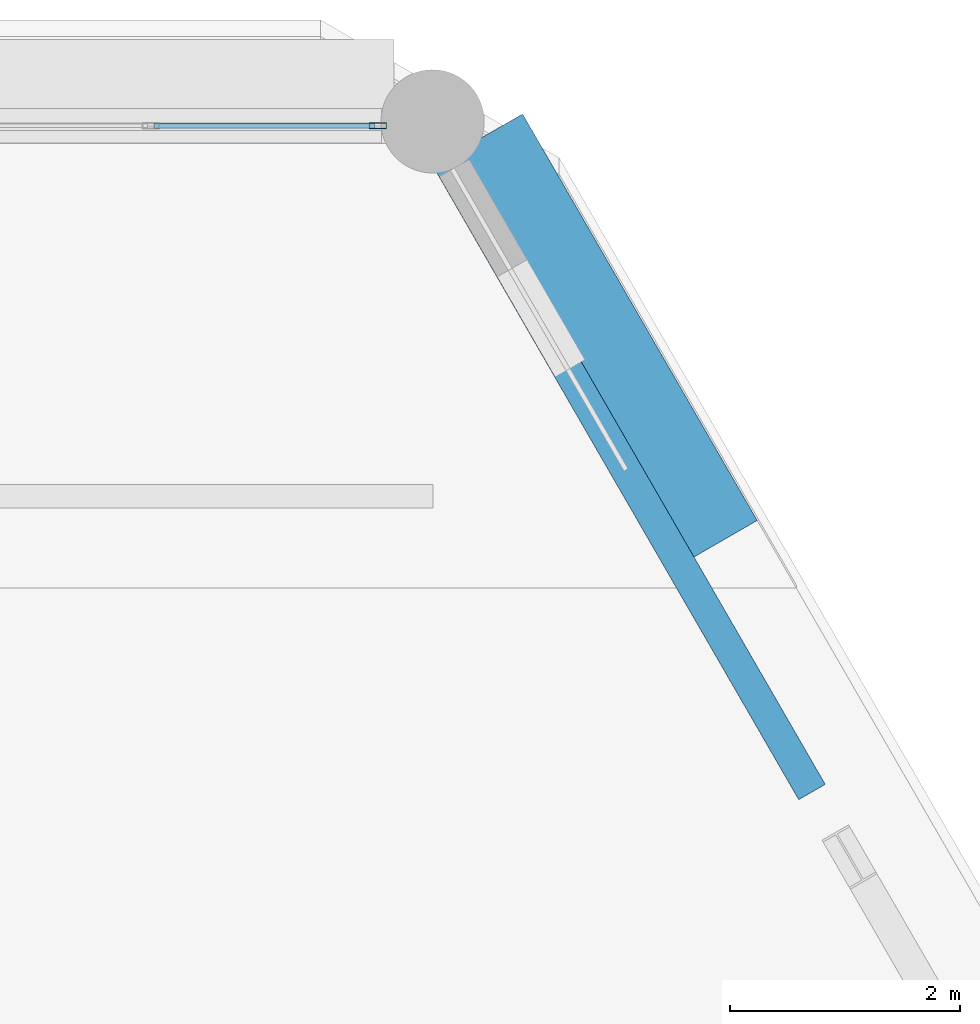
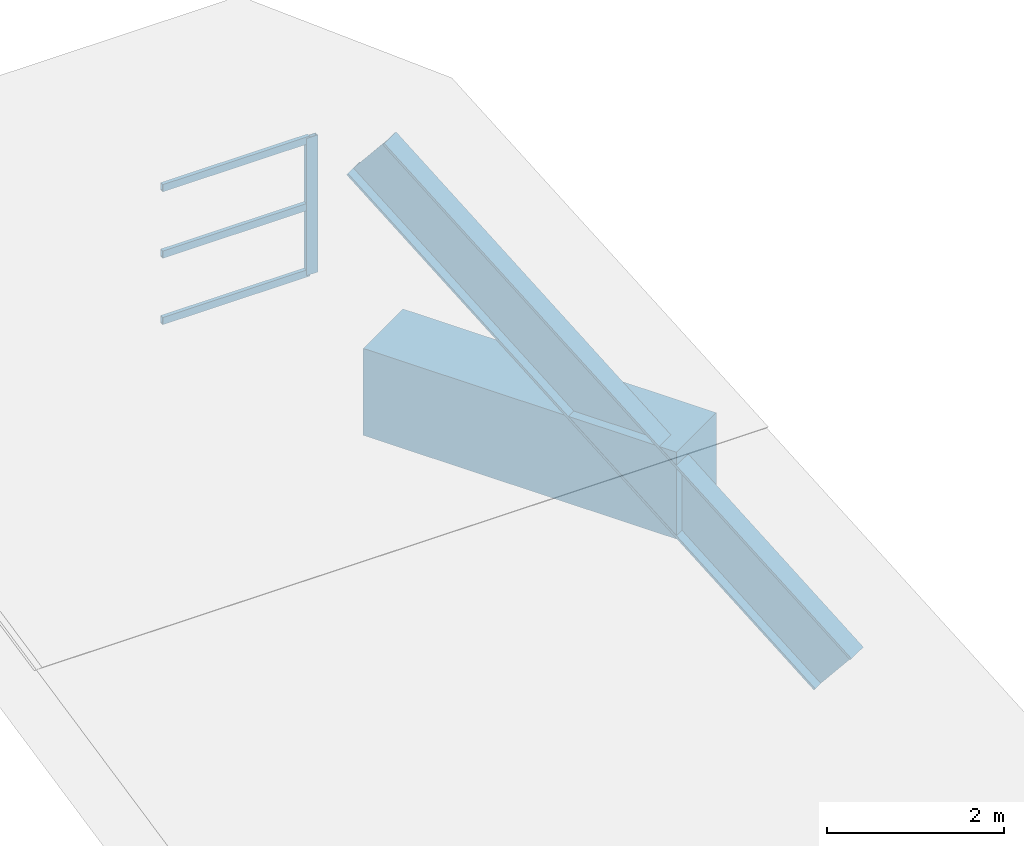
# One storey, part 5 of 7: 5 members, 1 beam, 1 element without a shape of its own.
"""IFC4 building model written with IfcOpenShell, lengths in metres."""

from ifc_helpers import new_model, si_unit, direction, frame, origin, origin_2d, place, context, subcontext, project, spatial, rectangle, hollow_rectangle, i_section, extrude, material, material_profile, profile_set, type_object, element, aggregate, save


model = new_model("IFC4")

# Units and contexts
model_context = context("Model", 3, precision=1e-05, world=origin(), true_north=direction((0.0, 1.0)))
body_context = subcontext(model_context, "Body", "Model", "MODEL_VIEW")
ifc_project = project(units=[si_unit("LENGTHUNIT", "METRE"), si_unit("AREAUNIT", "SQUARE_METRE"), si_unit("VOLUMEUNIT", "CUBIC_METRE"), si_unit("PLANEANGLEUNIT", "RADIAN"), si_unit("MASSUNIT", "GRAM", prefix="KILO")], contexts=[model_context])

# Site, building, storey
site_placement = place(None, origin())
site = spatial("IfcSite", under=ifc_project, at=site_placement, CompositionType="ELEMENT")
building_placement = place(site_placement, origin())
building = spatial("IfcBuilding", under=site, at=building_placement, Name="Ostrander Bayou Hotel Tower", CompositionType="ELEMENT")
storey_placement = place(building_placement, frame((0.0, 0.0, 302.0)))
storey = spatial("IfcBuildingStorey", under=building, at=storey_placement, Name="Roof 74", CompositionType="ELEMENT", Elevation=302.0)

# Member
ifc_material_1 = material(Name="Steel ASTM A992", Category="steel")
ifc_material_profile_1 = material_profile(ifc_material_1, i_section(OverallWidth=0.26708984375, OverallDepth=0.779052734375, WebThickness=0.0166015625, FlangeThickness=0.030029296875, at=origin_2d()))
ifc_profile_set_1 = profile_set([ifc_material_profile_1], Name="Steel ASTM A992")
member_type_1 = type_object("IfcMemberType", Name="CR2 crown rafter W30x148", PredefinedType="RAFTER", material=ifc_profile_set_1)
member_1_placement = place(storey_placement, frame((11.42431640625, 10.959716796875, -2.350341796875), z_axis=(-0.387451114147, 0.671091879347, 0.632073827666), x_axis=(-0.866027618295, -0.499996164336, 0.0)))
element("IfcMember", 1, at=member_1_placement, inside=storey, type_object=member_type_1, Name="CR2 NE 3", PredefinedType="RAFTER", context=body_context, shape_type="SweptSolid", body=[
    extrude(i_section(OverallWidth=0.26708984375, OverallDepth=0.779052734375, WebThickness=0.0166015625, FlangeThickness=0.030029296875, at=origin_2d()), origin(), (0.0, 0.0, 1.0), 7.871337890625),
])

# Curtain wall, members
ifc_material_2 = material(Name="Aluminium and clear glass", Category="aluminium")
curtain_wall_type = type_object("IfcCurtainWallType", Name="CW-CROWN glazed wall", PredefinedType="NOTDEFINED", material=ifc_material_2)
curtain_wall_placement = place(storey_placement, origin())
curtain_wall = element("IfcCurtainWall", 2, at=curtain_wall_placement, inside=storey, type_object=curtain_wall_type, Name="CW-CROWN L74:N-1", PredefinedType="NOTDEFINED")
ifc_material_3 = material(Name="Aluminium", Category="aluminium")
ifc_material_profile_2 = material_profile(ifc_material_3, hollow_rectangle(XDim=0.050048828125, YDim=0.14990234375, WallThickness=0.00390625, at=origin_2d()))
ifc_profile_set_2 = profile_set([ifc_material_profile_2], Name="Aluminium")
member_type_2 = type_object("IfcMemberType", Name="CW-CR mullion 50 x 150 mm", PredefinedType="MULLION", material=ifc_profile_set_2)
member_2_placement = place(storey_placement, frame((7.765869140625, 16.550048828125, 1.0), z_axis=(0.0, 0.0, 1.0), x_axis=(0.0, -1.0, 0.0)))
member_2 = element("IfcMember", 3, at=member_2_placement, type_object=member_type_2, Name="CW-CROWN mullion 1", PredefinedType="MULLION", context=body_context, shape_type="SweptSolid", body=[
    extrude(hollow_rectangle(XDim=0.050048828125, YDim=0.14990234375, WallThickness=0.00390625, at=origin_2d()), origin(), (0.0, 0.0, 1.0), 1.8935546875),
])
ifc_material_4 = material(Name="Aluminium", Category="aluminium")
ifc_material_profile_3 = material_profile(ifc_material_4, hollow_rectangle(XDim=0.050048828125, YDim=0.10009765625, WallThickness=0.00390625, at=origin_2d()))
ifc_profile_set_3 = profile_set([ifc_material_profile_3], Name="Aluminium")
member_type_3 = type_object("IfcMemberType", Name="CW-CR transom 50 x 100 mm", PredefinedType="USERDEFINED", material=ifc_profile_set_3)
member_3_placement = place(storey_placement, frame((7.73583984375, 16.550048828125, 1.030029296875), z_axis=(-1.0, 0.0, 0.0), x_axis=(0.0, -1.0, 0.0)))
member_3 = element("IfcMember", 4, at=member_3_placement, type_object=member_type_3, Name="CW-CROWN transom 1.1", ObjectType="TRANSOM", PredefinedType="USERDEFINED", context=body_context, shape_type="SweptSolid", body=[
    extrude(hollow_rectangle(XDim=0.050048828125, YDim=0.10009765625, WallThickness=0.00390625, at=origin_2d()), origin(), (0.0, 0.0, 1.0), 1.918212890625),
])
member_4_placement = place(storey_placement, frame((7.73583984375, 16.550048828125, 1.94677734375), z_axis=(-1.0, 0.0, 0.0), x_axis=(0.0, -1.0, 0.0)))
member_4 = element("IfcMember", 5, at=member_4_placement, type_object=member_type_3, Name="CW-CROWN transom 1.2", ObjectType="TRANSOM", PredefinedType="USERDEFINED", context=body_context, shape_type="SweptSolid", body=[
    extrude(hollow_rectangle(XDim=0.050048828125, YDim=0.10009765625, WallThickness=0.00390625, at=origin_2d()), origin(), (0.0, 0.0, 1.0), 1.918212890625),
])
member_5_placement = place(storey_placement, frame((7.73583984375, 16.550048828125, 2.863525390625), z_axis=(-1.0, 0.0, 0.0), x_axis=(0.0, -1.0, 0.0)))
member_5 = element("IfcMember", 6, at=member_5_placement, type_object=member_type_3, Name="CW-CROWN transom 1.3", ObjectType="TRANSOM", PredefinedType="USERDEFINED", context=body_context, shape_type="SweptSolid", body=[
    extrude(hollow_rectangle(XDim=0.050048828125, YDim=0.10009765625, WallThickness=0.00390625, at=origin_2d()), origin(), (0.0, 0.0, 1.0), 1.918212890625),
])
aggregate(curtain_wall, [member_2, member_3, member_4, member_5])

# Beam
ifc_material_5 = material(Name="Concrete f'c 60 MPa", Category="concrete")
ifc_material_profile_4 = material_profile(ifc_material_5, rectangle(XDim=0.89990234375, YDim=1.199951171875, at=origin_2d()))
ifc_profile_set_4 = profile_set([ifc_material_profile_4], Name="Concrete f'c 60 MPa")
beam_type = type_object("IfcBeamType", Name="SP4 spandrel beam 900 x 1200 mm f'c 60 MPa", PredefinedType="SPANDREL", material=ifc_profile_set_4)
beam_placement = place(storey_placement, frame((10.680908203125, 12.886962890625, -0.60009765625), z_axis=(-0.499960218317, 0.866048370532, 0.0), x_axis=(-0.866048370532, -0.499960218317, 0.0)))
element("IfcBeam", 7, at=beam_placement, inside=storey, type_object=beam_type, Name="SP4 L74 NE-3", PredefinedType="SPANDREL", context=body_context, shape_type="SweptSolid", body=[
    extrude(rectangle(XDim=0.89990234375, YDim=1.199951171875, at=origin_2d()), origin(), (0.0, 0.0, 1.0), 4.088623046875),
])

save(model, "model.ifc")
